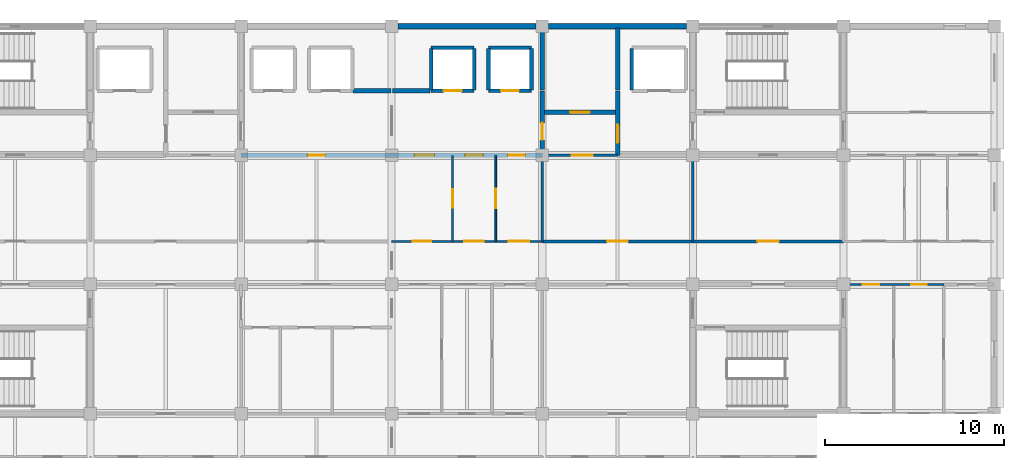
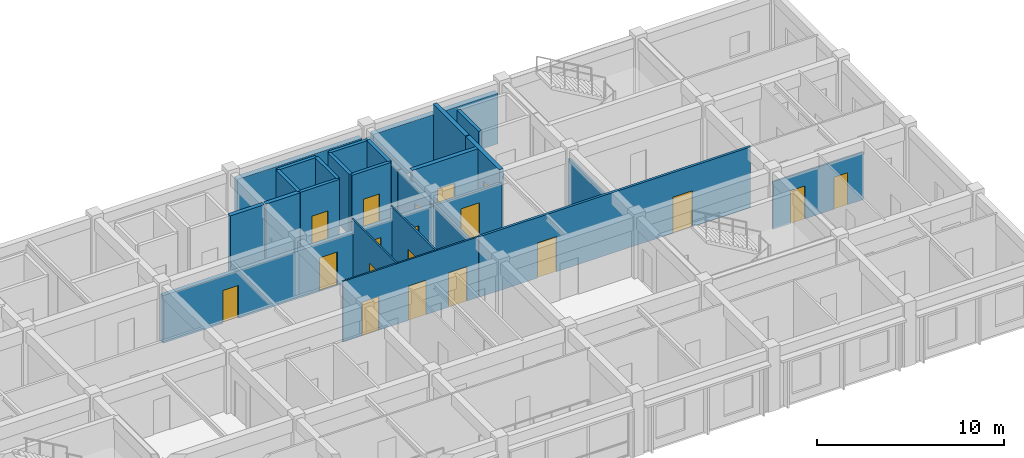
# One storey, part 13 of 17: 27 walls, 19 doors, 19 openings.
"""IFC4 building model written with IfcOpenShell, lengths in metres."""

from ifc_helpers import new_model, si_unit, direction, frame, frame_2d, origin, place, context, subcontext, project, spatial, rectangle, extrude, material, layer, layer_set, type_object, element, fill, save


model = new_model("IFC4")

# Units and contexts
model_context = context("Model", 3, precision=1e-05, world=origin(), true_north=direction((0.0, 1.0)))
body_context = subcontext(model_context, "Body", "Model", "MODEL_VIEW")
ifc_project = project(units=[si_unit("LENGTHUNIT", "METRE"), si_unit("AREAUNIT", "SQUARE_METRE"), si_unit("VOLUMEUNIT", "CUBIC_METRE"), si_unit("PLANEANGLEUNIT", "RADIAN"), si_unit("MASSUNIT", "GRAM", prefix="KILO")], contexts=[model_context])

# Site, building, storey
site_placement = place(None, origin())
site = spatial("IfcSite", under=ifc_project, at=site_placement, CompositionType="ELEMENT")
building_placement = place(site_placement, origin())
building = spatial("IfcBuilding", under=site, at=building_placement, Name="Chengyuan Square Courthouse", CompositionType="ELEMENT")
storey_placement = place(building_placement, frame((0.0, 0.0, 51.89990234375)))
storey = spatial("IfcBuildingStorey", under=building, at=storey_placement, Name="L12", CompositionType="ELEMENT", Elevation=51.89990234375)

# Walls
ifc_material_1 = material(Name="Concrete C40", Category="concrete")
ifc_layer_1 = layer(ifc_material_1, 0.320068359375)
ifc_layer_set_1 = layer_set([ifc_layer_1], Name="Concrete C40")
wall_type_1 = type_object("IfcWallType", Name="WL-EW3", PredefinedType="STANDARD", material=ifc_layer_set_1)
for number, where, z_axis, x_axis, name in (
    (1, (84.344970703125, 108.0, 0.0), (0.0, 0.0, 1.0), (1.0, 0.0, 0.0), "Exterior Wall WL-L12-E477"),
    (2, (92.7451171875, 108.0, 0.0), (0.0, 0.0, 1.0), (1.0, 0.0, 0.0), "Exterior Wall WL-L12-E479"),
):
    element("IfcWall", number, at=place(storey_placement, frame(where, z_axis=z_axis, x_axis=x_axis)), inside=storey, type_object=wall_type_1, Name=name, PredefinedType="STANDARD", context=body_context, shape_type="SweptSolid", body=[
        extrude(rectangle(XDim=7.7099609375, YDim=0.320068359375, at=frame_2d((3.85498046875, 0.0))), origin(), (0.0, 0.0, 1.0), 3.31005859375),
    ])

# Wall, openings, doors
ifc_layer_2 = layer(ifc_material_1, 0.25)
ifc_layer_set_2 = layer_set([ifc_layer_2], Name="Concrete C40")
wall_type_2 = type_object("IfcWallType", Name="WL-FW1", PredefinedType="STANDARD", material=ifc_layer_set_2)
wall_1_placement = place(storey_placement, frame((75.60009765625, 100.800048828125, 0.0), z_axis=(0.0, 0.0, 1.0), x_axis=(1.0, 0.0, 0.0)))
wall_1 = element("IfcWall", 3, at=wall_1_placement, inside=storey, type_object=wall_type_2, Name="Interior Wall WL-L12-I3670", PredefinedType="STANDARD", context=body_context, shape_type="SweptSolid", body=[
    extrude(rectangle(XDim=16.7998046875, YDim=0.25, at=frame_2d((8.39990234375, 0.0))), origin(), (0.0, 0.0, 1.0), 3.110107421875),
])
opening_1_placement = place(wall_1_placement, frame((3.72509765625, 0.0, 0.0)))
opening_1 = element("IfcOpeningElement", 4, at=opening_1_placement, cuts=wall_1, Name="Opening DR-3041", PredefinedType="OPENING", context=body_context, shape_type="SweptSolid", body=[
    extrude(rectangle(XDim=0.949951171875, YDim=2.14990234375, at=frame_2d((0.47509765625, 1.074951171875))), frame((0.0, 0.136962890625, 0.0), z_axis=(0.0, -1.0, 0.0), x_axis=(1.0, 0.0, 0.0)), (0.0, 0.0, 1.0), 0.27392578125),
])
opening_2_placement = place(wall_1_placement, frame((9.68505859375, 0.0, 0.0)))
opening_2 = element("IfcOpeningElement", 5, at=opening_2_placement, cuts=wall_1, Name="Opening DR-3042", PredefinedType="OPENING", context=body_context, shape_type="SweptSolid", body=[
    extrude(rectangle(XDim=1.10009765625, YDim=2.199951171875, at=frame_2d((0.550048828125, 1.10009765625))), frame((0.0, 0.136962890625, 0.0), z_axis=(0.0, -1.0, 0.0), x_axis=(1.0, 0.0, 0.0)), (0.0, 0.0, 1.0), 0.27392578125),
])
opening_3_placement = place(wall_1_placement, frame((12.5, 0.0, 0.0)))
opening_3 = element("IfcOpeningElement", 6, at=opening_3_placement, cuts=wall_1, Name="Opening DR-3043", PredefinedType="OPENING", context=body_context, shape_type="SweptSolid", body=[
    extrude(rectangle(XDim=1.0, YDim=2.199951171875, at=frame_2d((0.5, 1.10009765625))), frame((0.0, 0.136962890625, 0.0), z_axis=(0.0, -1.0, 0.0), x_axis=(1.0, 0.0, 0.0)), (0.0, 0.0, 1.0), 0.27392578125),
])
opening_4_placement = place(wall_1_placement, frame((14.889892578125, 0.0, 0.0)))
opening_4 = element("IfcOpeningElement", 7, at=opening_4_placement, cuts=wall_1, Name="Opening DR-3044", PredefinedType="OPENING", context=body_context, shape_type="SweptSolid", body=[
    extrude(rectangle(XDim=0.949951171875, YDim=2.14990234375, at=frame_2d((0.47509765625, 1.074951171875))), frame((0.0, 0.136962890625, 0.0), z_axis=(0.0, -1.0, 0.0), x_axis=(1.0, 0.0, 0.0)), (0.0, 0.0, 1.0), 0.27392578125),
])
ifc_material_2 = material(Name="Steel Q235B Fire Door", Category="steel")
door_type_1 = type_object("IfcDoorType", Name="DT-10", OperationType="NOTDEFINED", PredefinedType="DOOR", material=ifc_material_2)
door_1_placement = place(opening_2_placement, origin())
door_1 = element("IfcDoor", 8, at=door_1_placement, inside=storey, type_object=door_type_1, Name="Interior Door DR-3042", OperationType="SINGLE_SWING_RIGHT", OverallHeight=2.199951171875, OverallWidth=1.10009765625, PredefinedType="DOOR", context=body_context, shape_type="SweptSolid", body=[
    extrude(rectangle(XDim=1.10009765625, YDim=2.199951171875, at=frame_2d((0.550048828125, 1.10009765625))), frame((0.0, 0.02490234375, 0.0), z_axis=(0.0, -1.0, 0.0), x_axis=(1.0, 0.0, 0.0)), (0.0, 0.0, 1.0), 0.050048828125),
])
fill(opening_2, door_1)
door_type_2 = type_object("IfcDoorType", Name="DT-11", OperationType="NOTDEFINED", PredefinedType="DOOR", material=ifc_material_2)
door_2_placement = place(opening_3_placement, origin())
door_2 = element("IfcDoor", 9, at=door_2_placement, inside=storey, type_object=door_type_2, Name="Interior Door DR-3043", OperationType="SINGLE_SWING_LEFT", OverallHeight=2.199951171875, OverallWidth=1.0, PredefinedType="DOOR", context=body_context, shape_type="SweptSolid", body=[
    extrude(rectangle(XDim=1.0, YDim=2.199951171875, at=frame_2d((0.5, 1.10009765625))), frame((0.0, 0.02490234375, 0.0), z_axis=(0.0, -1.0, 0.0), x_axis=(1.0, 0.0, 0.0)), (0.0, 0.0, 1.0), 0.050048828125),
])
fill(opening_3, door_2)
door_type_3 = type_object("IfcDoorType", Name="DT-12", OperationType="NOTDEFINED", PredefinedType="DOOR", material=ifc_material_2)
door_3_placement = place(opening_1_placement, origin())
door_3 = element("IfcDoor", 10, at=door_3_placement, inside=storey, type_object=door_type_3, Name="Interior Door DR-3041", OperationType="SINGLE_SWING_LEFT", OverallHeight=2.14990234375, OverallWidth=0.949951171875, PredefinedType="DOOR", context=body_context, shape_type="SweptSolid", body=[
    extrude(rectangle(XDim=0.949951171875, YDim=2.14990234375, at=frame_2d((0.47509765625, 1.074951171875))), frame((0.0, 0.02490234375, 0.0), z_axis=(0.0, -1.0, 0.0), x_axis=(1.0, 0.0, 0.0)), (0.0, 0.0, 1.0), 0.050048828125),
])
fill(opening_1, door_3)
door_4_placement = place(opening_4_placement, origin())
door_4 = element("IfcDoor", 11, at=door_4_placement, inside=storey, type_object=door_type_3, Name="Interior Door DR-3044", OperationType="SINGLE_SWING_RIGHT", OverallHeight=2.14990234375, OverallWidth=0.949951171875, PredefinedType="DOOR", context=body_context, shape_type="SweptSolid", body=[
    extrude(rectangle(XDim=0.949951171875, YDim=2.14990234375, at=frame_2d((0.47509765625, 1.074951171875))), frame((0.0, 0.02490234375, 0.0), z_axis=(0.0, -1.0, 0.0), x_axis=(1.0, 0.0, 0.0)), (0.0, 0.0, 1.0), 0.050048828125),
])
fill(opening_4, door_4)

# Wall, opening, door
wall_2_placement = place(storey_placement, frame((92.39990234375, 103.199951171875, 0.0), z_axis=(0.0, 0.0, 1.0), x_axis=(1.0, 0.0, 0.0)))
wall_2 = element("IfcWall", 12, at=wall_2_placement, inside=storey, type_object=wall_type_2, Name="Interior Wall WL-L12-I3677", PredefinedType="STANDARD", context=body_context, shape_type="SweptSolid", body=[
    extrude(rectangle(XDim=4.2001953125, YDim=0.25, at=frame_2d((2.10009765625, 0.0))), origin(), (0.0, 0.0, 1.0), 3.960205078125),
])
opening_5_placement = place(wall_2_placement, frame((1.550048828125, 0.0, 0.0)))
opening_5 = element("IfcOpeningElement", 13, at=opening_5_placement, cuts=wall_2, Name="Opening DR-3036", PredefinedType="OPENING", context=body_context, shape_type="SweptSolid", body=[
    extrude(rectangle(XDim=1.10009765625, YDim=2.199951171875, at=frame_2d((0.550048828125, 1.10009765625))), frame((0.0, 0.136962890625, 0.0), z_axis=(0.0, -1.0, 0.0), x_axis=(1.0, 0.0, 0.0)), (0.0, 0.0, 1.0), 0.27392578125),
])
door_5_placement = place(opening_5_placement, origin())
door_5 = element("IfcDoor", 14, at=door_5_placement, inside=storey, type_object=door_type_1, Name="Interior Door DR-3036", OperationType="SINGLE_SWING_LEFT", OverallHeight=2.199951171875, OverallWidth=1.10009765625, PredefinedType="DOOR", context=body_context, shape_type="SweptSolid", body=[
    extrude(rectangle(XDim=1.10009765625, YDim=2.199951171875, at=frame_2d((0.550048828125, 1.10009765625))), frame((0.0, 0.02490234375, 0.0), z_axis=(0.0, -1.0, 0.0), x_axis=(1.0, 0.0, 0.0)), (0.0, 0.0, 1.0), 0.050048828125),
])
fill(opening_5, door_5)

# Walls
for number, where, z_axis, x_axis, name in (
    (15, (81.85009765625, 104.39990234375, 0.0), (0.0, 0.0, 1.0), (1.0, 0.0, 0.0), "Interior Wall WL-L12-I3683"),
    (16, (84.050048828125, 104.39990234375, 0.0), (0.0, 0.0, 1.0), (1.0, 0.0, 0.0), "Interior Wall WL-L12-I3684"),
):
    element("IfcWall", number, at=place(storey_placement, frame(where, z_axis=z_axis, x_axis=x_axis)), inside=storey, type_object=wall_type_2, Name=name, PredefinedType="STANDARD", context=body_context, shape_type="SweptSolid", body=[
        extrude(rectangle(XDim=2.099853515625, YDim=0.25, at=frame_2d((1.0498046875, 0.0))), origin(), (0.0, 0.0, 1.0), 3.960205078125),
    ])

# Wall, opening, door
wall_3_placement = place(storey_placement, frame((92.39990234375, 100.800048828125, 0.0), z_axis=(0.0, 0.0, 1.0), x_axis=(0.0, 1.0, 0.0)))
wall_3 = element("IfcWall", 17, at=wall_3_placement, inside=storey, type_object=wall_type_2, Name="Interior Wall WL-L12-I3742", PredefinedType="STANDARD", context=body_context, shape_type="SweptSolid", body=[
    extrude(rectangle(XDim=3.599853515625, YDim=0.25, at=frame_2d((1.7998046875, 0.0))), origin(), (0.0, 0.0, 1.0), 3.210205078125),
])
opening_6_placement = place(wall_3_placement, frame((0.860107421875, 0.0, 0.0)))
opening_6 = element("IfcOpeningElement", 18, at=opening_6_placement, cuts=wall_3, Name="Opening DR-3038", PredefinedType="OPENING", context=body_context, shape_type="SweptSolid", body=[
    extrude(rectangle(XDim=0.949951171875, YDim=2.14990234375, at=frame_2d((0.47509765625, 1.074951171875))), frame((0.0, 0.136962890625, 0.0), z_axis=(0.0, -1.0, 0.0), x_axis=(1.0, 0.0, 0.0)), (0.0, 0.0, 1.0), 0.27392578125),
])
door_6_placement = place(opening_6_placement, origin())
door_6 = element("IfcDoor", 19, at=door_6_placement, inside=storey, type_object=door_type_3, Name="Interior Door DR-3038", OperationType="SINGLE_SWING_LEFT", OverallHeight=2.14990234375, OverallWidth=0.949951171875, PredefinedType="DOOR", context=body_context, shape_type="SweptSolid", body=[
    extrude(rectangle(XDim=0.949951171875, YDim=2.14990234375, at=frame_2d((0.47509765625, 1.074951171875))), frame((0.0, 0.02490234375, 0.0), z_axis=(0.0, -1.0, 0.0), x_axis=(1.0, 0.0, 0.0)), (0.0, 0.0, 1.0), 0.050048828125),
])
fill(opening_6, door_6)

# Wall
wall_4_placement = place(storey_placement, frame((92.39990234375, 104.449951171875, 0.0), z_axis=(0.0, 0.0, 1.0), x_axis=(0.0, 1.0, 0.0)))
element("IfcWall", 20, at=wall_4_placement, inside=storey, type_object=wall_type_2, Name="Interior Wall WL-L12-I3743", PredefinedType="STANDARD", context=body_context, shape_type="SweptSolid", body=[
    extrude(rectangle(XDim=3.4599609375, YDim=0.25, at=frame_2d((1.72998046875, 0.0))), origin(), (0.0, 0.0, 1.0), 3.210205078125),
])

# Wall, opening, door
wall_5_placement = place(storey_placement, frame((96.60009765625, 100.800048828125, 0.0), z_axis=(0.0, 0.0, 1.0), x_axis=(0.0, 1.0, 0.0)))
wall_5 = element("IfcWall", 21, at=wall_5_placement, inside=storey, type_object=wall_type_2, Name="Interior Wall WL-L12-I3745", PredefinedType="STANDARD", context=body_context, shape_type="SweptSolid", body=[
    extrude(rectangle(XDim=3.599853515625, YDim=0.25, at=frame_2d((1.7998046875, 0.0))), origin(), (0.0, 0.0, 1.0), 3.960205078125),
])
opening_7_placement = place(wall_5_placement, frame((0.699951171875, 0.0, 0.0)))
opening_7 = element("IfcOpeningElement", 22, at=opening_7_placement, cuts=wall_5, Name="Opening DR-3037", PredefinedType="OPENING", context=body_context, shape_type="SweptSolid", body=[
    extrude(rectangle(XDim=1.0, YDim=2.199951171875, at=frame_2d((0.5, 1.10009765625))), frame((0.0, 0.136962890625, 0.0), z_axis=(0.0, -1.0, 0.0), x_axis=(1.0, 0.0, 0.0)), (0.0, 0.0, 1.0), 0.27392578125),
])
door_7_placement = place(opening_7_placement, origin())
door_7 = element("IfcDoor", 23, at=door_7_placement, inside=storey, type_object=door_type_2, Name="Interior Door DR-3037", OperationType="SINGLE_SWING_RIGHT", OverallHeight=2.199951171875, OverallWidth=1.0, PredefinedType="DOOR", context=body_context, shape_type="SweptSolid", body=[
    extrude(rectangle(XDim=1.0, YDim=2.199951171875, at=frame_2d((0.5, 1.10009765625))), frame((0.0, 0.02490234375, 0.0), z_axis=(0.0, -1.0, 0.0), x_axis=(1.0, 0.0, 0.0)), (0.0, 0.0, 1.0), 0.050048828125),
])
fill(opening_7, door_7)

# Wall
wall_6_placement = place(storey_placement, frame((96.60009765625, 104.449951171875, 0.0), z_axis=(0.0, 0.0, 1.0), x_axis=(0.0, 1.0, 0.0)))
element("IfcWall", 24, at=wall_6_placement, inside=storey, type_object=wall_type_2, Name="Interior Wall WL-L12-I3746", PredefinedType="STANDARD", context=body_context, shape_type="SweptSolid", body=[
    extrude(rectangle(XDim=3.4599609375, YDim=0.25, at=frame_2d((1.72998046875, 0.0))), origin(), (0.0, 0.0, 1.0), 3.960205078125),
])

# Wall, openings, doors
ifc_material_3 = material(Name="Deliberation Room Sound-Insulated Partition")
ifc_layer_3 = layer(ifc_material_3, 0.14990234375)
ifc_layer_set_3 = layer_set([ifc_layer_3], Name="Deliberation Room Sound-Insulated Partition")
wall_type_3 = type_object("IfcWallType", Name="WL-PT3", PredefinedType="STANDARD", material=ifc_layer_set_3)
wall_7_placement = place(storey_placement, frame((92.39990234375, 96.0, 0.0), z_axis=(0.0, 0.0, 1.0), x_axis=(1.0, 0.0, 0.0)))
wall_7 = element("IfcWall", 25, at=wall_7_placement, inside=storey, type_object=wall_type_3, Name="Interior Wall WL-L12-I3665", PredefinedType="STANDARD", context=body_context, shape_type="SweptSolid", body=[
    extrude(rectangle(XDim=16.800048828125, YDim=0.14990234375, at=frame_2d((8.39990234375, 0.0))), origin(), (0.0, 0.0, 1.0), 3.960205078125),
])
opening_8_placement = place(wall_7_placement, frame((3.6201171875, 0.0, 0.0)))
opening_8 = element("IfcOpeningElement", 26, at=opening_8_placement, cuts=wall_7, Name="Opening DR-3073", PredefinedType="OPENING", context=body_context, shape_type="SweptSolid", body=[
    extrude(rectangle(XDim=1.159912109375, YDim=2.300048828125, at=frame_2d((0.580078125, 1.14990234375))), frame((0.0, 0.0869140625, 0.0), z_axis=(0.0, -1.0, 0.0), x_axis=(1.0, 0.0, 0.0)), (0.0, 0.0, 1.0), 0.173828125),
])
opening_9_placement = place(wall_7_placement, frame((12.0, 0.0, 0.0)))
opening_9 = element("IfcOpeningElement", 27, at=opening_9_placement, cuts=wall_7, Name="Opening DR-3074", PredefinedType="OPENING", context=body_context, shape_type="SweptSolid", body=[
    extrude(rectangle(XDim=1.199951171875, YDim=2.35009765625, at=frame_2d((0.60009765625, 1.175048828125))), frame((0.0, 0.0869140625, 0.0), z_axis=(0.0, -1.0, 0.0), x_axis=(1.0, 0.0, 0.0)), (0.0, 0.0, 1.0), 0.173828125),
])
ifc_material_4 = material(Name="Acoustic Solid-Core Timber Door", Category="wood")
door_type_4 = type_object("IfcDoorType", Name="DT-35", OperationType="NOTDEFINED", PredefinedType="DOOR", material=ifc_material_4)
door_8_placement = place(opening_8_placement, origin())
door_8 = element("IfcDoor", 28, at=door_8_placement, inside=storey, type_object=door_type_4, Name="Interior Door DR-3073", OperationType="SINGLE_SWING_RIGHT", OverallHeight=2.300048828125, OverallWidth=1.159912109375, PredefinedType="DOOR", context=body_context, shape_type="SweptSolid", body=[
    extrude(rectangle(XDim=1.159912109375, YDim=2.300048828125, at=frame_2d((0.580078125, 1.14990234375))), frame((0.0, 0.02490234375, 0.0), z_axis=(0.0, -1.0, 0.0), x_axis=(1.0, 0.0, 0.0)), (0.0, 0.0, 1.0), 0.050048828125),
])
fill(opening_8, door_8)
door_type_5 = type_object("IfcDoorType", Name="DT-36", OperationType="NOTDEFINED", PredefinedType="DOOR", material=ifc_material_4)
door_9_placement = place(opening_9_placement, origin())
door_9 = element("IfcDoor", 29, at=door_9_placement, inside=storey, type_object=door_type_5, Name="Interior Door DR-3074", OperationType="SINGLE_SWING_LEFT", OverallHeight=2.35009765625, OverallWidth=1.199951171875, PredefinedType="DOOR", context=body_context, shape_type="SweptSolid", body=[
    extrude(rectangle(XDim=1.199951171875, YDim=2.35009765625, at=frame_2d((0.60009765625, 1.175048828125))), frame((0.0, 0.02490234375, 0.0), z_axis=(0.0, -1.0, 0.0), x_axis=(1.0, 0.0, 0.0)), (0.0, 0.0, 1.0), 0.050048828125),
])
fill(opening_9, door_9)

# Wall, opening, door
wall_8_placement = place(storey_placement, frame((92.39990234375, 100.800048828125, 0.0), z_axis=(0.0, 0.0, 1.0), x_axis=(1.0, 0.0, 0.0)))
wall_8 = element("IfcWall", 30, at=wall_8_placement, inside=storey, type_object=wall_type_3, Name="Interior Wall WL-L12-I3671", PredefinedType="STANDARD", context=body_context, shape_type="SweptSolid", body=[
    extrude(rectangle(XDim=4.2001953125, YDim=0.14990234375, at=frame_2d((2.10009765625, 0.0))), origin(), (0.0, 0.0, 1.0), 3.110107421875),
])
opening_10_placement = place(wall_8_placement, frame((1.655029296875, 0.0, 0.0)))
opening_10 = element("IfcOpeningElement", 31, at=opening_10_placement, cuts=wall_8, Name="Opening DR-3039", PredefinedType="OPENING", context=body_context, shape_type="SweptSolid", body=[
    extrude(rectangle(XDim=1.159912109375, YDim=2.300048828125, at=frame_2d((0.580078125, 1.14990234375))), frame((0.0, 0.0869140625, 0.0), z_axis=(0.0, -1.0, 0.0), x_axis=(1.0, 0.0, 0.0)), (0.0, 0.0, 1.0), 0.173828125),
])
door_10_placement = place(opening_10_placement, origin())
door_10 = element("IfcDoor", 32, at=door_10_placement, inside=storey, type_object=door_type_4, Name="Interior Door DR-3039", OperationType="SINGLE_SWING_RIGHT", OverallHeight=2.300048828125, OverallWidth=1.159912109375, PredefinedType="DOOR", context=body_context, shape_type="SweptSolid", body=[
    extrude(rectangle(XDim=1.159912109375, YDim=2.300048828125, at=frame_2d((0.580078125, 1.14990234375))), frame((0.0, 0.02490234375, 0.0), z_axis=(0.0, -1.0, 0.0), x_axis=(1.0, 0.0, 0.0)), (0.0, 0.0, 1.0), 0.050048828125),
])
fill(opening_10, door_10)

# Walls
for number, where, z_axis, x_axis, name in (
    (33, (92.39990234375, 96.0, 0.0), (0.0, 0.0, 1.0), (0.0, 1.0, 0.0), "Interior Wall WL-L12-I3741"),
    (34, (100.800048828125, 96.0, 0.0), (0.0, 0.0, 1.0), (0.0, 1.0, 0.0), "Interior Wall WL-L12-I3752"),
):
    element("IfcWall", number, at=place(storey_placement, frame(where, z_axis=z_axis, x_axis=x_axis)), inside=storey, type_object=wall_type_3, Name=name, PredefinedType="STANDARD", context=body_context, shape_type="SweptSolid", body=[
        extrude(rectangle(XDim=4.800048828125, YDim=0.14990234375, at=frame_2d((2.39990234375, 0.0))), origin(), (0.0, 0.0, 1.0), 3.210205078125),
    ])

# Wall, openings, doors
ifc_material_5 = material(Name="Gypsum Plasterboard Acoustic Stud Partition")
ifc_layer_4 = layer(ifc_material_5, 0.10009765625)
ifc_layer_set_4 = layer_set([ifc_layer_4], Name="Gypsum Plasterboard Acoustic Stud Partition")
wall_type_4 = type_object("IfcWallType", Name="WL-PT6", PredefinedType="STANDARD", material=ifc_layer_set_4)
wall_9_placement = place(storey_placement, frame((109.199951171875, 93.60009765625, 0.0), z_axis=(0.0, 0.0, 1.0), x_axis=(1.0, 0.0, 0.0)))
wall_9 = element("IfcWall", 35, at=wall_9_placement, inside=storey, type_object=wall_type_4, Name="Interior Wall WL-L12-I3660", PredefinedType="STANDARD", context=body_context, shape_type="SweptSolid", body=[
    extrude(rectangle(XDim=5.60009765625, YDim=0.10009765625, at=frame_2d((2.800048828125, 0.0))), origin(), (0.0, 0.0, 1.0), 3.110107421875),
])
opening_11_placement = place(wall_9_placement, frame((1.0849609375, 0.0, 0.0)))
opening_11 = element("IfcOpeningElement", 36, at=opening_11_placement, cuts=wall_9, Name="Opening DR-3082", PredefinedType="OPENING", context=body_context, shape_type="SweptSolid", body=[
    extrude(rectangle(XDim=0.89990234375, YDim=2.14990234375, at=frame_2d((0.449951171875, 1.074951171875))), frame((0.0, 0.06201171875, 0.0), z_axis=(0.0, -1.0, 0.0), x_axis=(1.0, 0.0, 0.0)), (0.0, 0.0, 1.0), 0.1240234375),
])
opening_12_placement = place(wall_9_placement, frame((3.77001953125, 0.0, 0.0)))
opening_12 = element("IfcOpeningElement", 37, at=opening_12_placement, cuts=wall_9, Name="Opening DR-3083", PredefinedType="OPENING", context=body_context, shape_type="SweptSolid", body=[
    extrude(rectangle(XDim=0.860107421875, YDim=2.10009765625, at=frame_2d((0.43017578125, 1.050048828125))), frame((0.0, 0.06201171875, 0.0), z_axis=(0.0, -1.0, 0.0), x_axis=(1.0, 0.0, 0.0)), (0.0, 0.0, 1.0), 0.1240234375),
])
door_type_6 = type_object("IfcDoorType", Name="DT-27", OperationType="NOTDEFINED", PredefinedType="DOOR", material=ifc_material_4)
door_11_placement = place(opening_11_placement, origin())
door_11 = element("IfcDoor", 38, at=door_11_placement, inside=storey, type_object=door_type_6, Name="Interior Door DR-3082", OperationType="SINGLE_SWING_LEFT", OverallHeight=2.14990234375, OverallWidth=0.89990234375, PredefinedType="DOOR", context=body_context, shape_type="SweptSolid", body=[
    extrude(rectangle(XDim=0.89990234375, YDim=2.14990234375, at=frame_2d((0.449951171875, 1.074951171875))), frame((0.0, 0.02490234375, 0.0), z_axis=(0.0, -1.0, 0.0), x_axis=(1.0, 0.0, 0.0)), (0.0, 0.0, 1.0), 0.050048828125),
])
fill(opening_11, door_11)
door_type_7 = type_object("IfcDoorType", Name="DT-28", OperationType="NOTDEFINED", PredefinedType="DOOR", material=ifc_material_4)
door_12_placement = place(opening_12_placement, origin())
door_12 = element("IfcDoor", 39, at=door_12_placement, inside=storey, type_object=door_type_7, Name="Interior Door DR-3083", OperationType="SINGLE_SWING_RIGHT", OverallHeight=2.10009765625, OverallWidth=0.860107421875, PredefinedType="DOOR", context=body_context, shape_type="SweptSolid", body=[
    extrude(rectangle(XDim=0.860107421875, YDim=2.10009765625, at=frame_2d((0.43017578125, 1.050048828125))), frame((0.0, 0.02490234375, 0.0), z_axis=(0.0, -1.0, 0.0), x_axis=(1.0, 0.0, 0.0)), (0.0, 0.0, 1.0), 0.050048828125),
])
fill(opening_12, door_12)

wall_10_placement = place(storey_placement, frame((84.0, 96.0, 0.0), z_axis=(0.0, 0.0, 1.0), x_axis=(1.0, 0.0, 0.0)))
wall_10 = element("IfcWall", 40, at=wall_10_placement, inside=storey, type_object=wall_type_4, Name="Interior Wall WL-L12-I3664", PredefinedType="STANDARD", context=body_context, shape_type="SweptSolid", body=[
    extrude(rectangle(XDim=8.39990234375, YDim=0.10009765625, at=frame_2d((4.199951171875, 0.0))), origin(), (0.0, 0.0, 1.0), 3.960205078125),
])
opening_13_placement = place(wall_10_placement, frame((1.179931640625, 0.0, 0.0)))
opening_13 = element("IfcOpeningElement", 41, at=opening_13_placement, cuts=wall_10, Name="Opening DR-3070", PredefinedType="OPENING", context=body_context, shape_type="SweptSolid", body=[
    extrude(rectangle(XDim=1.0400390625, YDim=2.199951171875, at=frame_2d((0.52001953125, 1.10009765625))), frame((0.0, 0.06201171875, 0.0), z_axis=(0.0, -1.0, 0.0), x_axis=(1.0, 0.0, 0.0)), (0.0, 0.0, 1.0), 0.1240234375),
])
opening_14_placement = place(wall_10_placement, frame((4.06005859375, 0.0, 0.0)))
opening_14 = element("IfcOpeningElement", 42, at=opening_14_placement, cuts=wall_10, Name="Opening DR-3071", PredefinedType="OPENING", context=body_context, shape_type="SweptSolid", body=[
    extrude(rectangle(XDim=1.080078125, YDim=2.25, at=frame_2d((0.5400390625, 1.125))), frame((0.0, 0.06201171875, 0.0), z_axis=(0.0, -1.0, 0.0), x_axis=(1.0, 0.0, 0.0)), (0.0, 0.0, 1.0), 0.1240234375),
])
opening_15_placement = place(wall_10_placement, frame((6.5400390625, 0.0, 0.0)))
opening_15 = element("IfcOpeningElement", 43, at=opening_15_placement, cuts=wall_10, Name="Opening DR-3072", PredefinedType="OPENING", context=body_context, shape_type="SweptSolid", body=[
    extrude(rectangle(XDim=1.1201171875, YDim=2.25, at=frame_2d((0.56005859375, 1.125))), frame((0.0, 0.06201171875, 0.0), z_axis=(0.0, -1.0, 0.0), x_axis=(1.0, 0.0, 0.0)), (0.0, 0.0, 1.0), 0.1240234375),
])
door_type_8 = type_object("IfcDoorType", Name="DT-32", OperationType="NOTDEFINED", PredefinedType="DOOR", material=ifc_material_4)
door_13_placement = place(opening_13_placement, origin())
door_13 = element("IfcDoor", 44, at=door_13_placement, inside=storey, type_object=door_type_8, Name="Interior Door DR-3070", OperationType="SINGLE_SWING_LEFT", OverallHeight=2.199951171875, OverallWidth=1.0400390625, PredefinedType="DOOR", context=body_context, shape_type="SweptSolid", body=[
    extrude(rectangle(XDim=1.0400390625, YDim=2.199951171875, at=frame_2d((0.52001953125, 1.10009765625))), frame((0.0, 0.02490234375, 0.0), z_axis=(0.0, -1.0, 0.0), x_axis=(1.0, 0.0, 0.0)), (0.0, 0.0, 1.0), 0.050048828125),
])
fill(opening_13, door_13)
door_type_9 = type_object("IfcDoorType", Name="DT-33", OperationType="NOTDEFINED", PredefinedType="DOOR", material=ifc_material_4)
door_14_placement = place(opening_14_placement, origin())
door_14 = element("IfcDoor", 45, at=door_14_placement, inside=storey, type_object=door_type_9, Name="Interior Door DR-3071", OperationType="SINGLE_SWING_RIGHT", OverallHeight=2.25, OverallWidth=1.080078125, PredefinedType="DOOR", context=body_context, shape_type="SweptSolid", body=[
    extrude(rectangle(XDim=1.080078125, YDim=2.25, at=frame_2d((0.5400390625, 1.125))), frame((0.0, 0.02490234375, 0.0), z_axis=(0.0, -1.0, 0.0), x_axis=(1.0, 0.0, 0.0)), (0.0, 0.0, 1.0), 0.050048828125),
])
fill(opening_14, door_14)
door_type_10 = type_object("IfcDoorType", Name="DT-34", OperationType="NOTDEFINED", PredefinedType="DOOR", material=ifc_material_4)
door_15_placement = place(opening_15_placement, origin())
door_15 = element("IfcDoor", 46, at=door_15_placement, inside=storey, type_object=door_type_10, Name="Interior Door DR-3072", OperationType="SINGLE_SWING_LEFT", OverallHeight=2.25, OverallWidth=1.1201171875, PredefinedType="DOOR", context=body_context, shape_type="SweptSolid", body=[
    extrude(rectangle(XDim=1.1201171875, YDim=2.25, at=frame_2d((0.56005859375, 1.125))), frame((0.0, 0.02490234375, 0.0), z_axis=(0.0, -1.0, 0.0), x_axis=(1.0, 0.0, 0.0)), (0.0, 0.0, 1.0), 0.050048828125),
])
fill(opening_15, door_15)

# Wall, opening, door
wall_11_placement = place(storey_placement, frame((87.39990234375, 96.0, 0.0), z_axis=(0.0, 0.0, 1.0), x_axis=(0.0, 1.0, 0.0)))
wall_11 = element("IfcWall", 47, at=wall_11_placement, inside=storey, type_object=wall_type_4, Name="Interior Wall WL-L12-I3733", PredefinedType="STANDARD", context=body_context, shape_type="SweptSolid", body=[
    extrude(rectangle(XDim=4.800048828125, YDim=0.10009765625, at=frame_2d((2.39990234375, 0.0))), origin(), (0.0, 0.0, 1.0), 3.960205078125),
])
opening_16_placement = place(wall_11_placement, frame((1.8798828125, 0.0, 0.0)))
opening_16 = element("IfcOpeningElement", 48, at=opening_16_placement, cuts=wall_11, Name="Opening DR-3087", PredefinedType="OPENING", context=body_context, shape_type="SweptSolid", body=[
    extrude(rectangle(XDim=1.0400390625, YDim=2.199951171875, at=frame_2d((0.52001953125, 1.10009765625))), frame((0.0, 0.06201171875, 0.0), z_axis=(0.0, -1.0, 0.0), x_axis=(1.0, 0.0, 0.0)), (0.0, 0.0, 1.0), 0.1240234375),
])
door_16_placement = place(opening_16_placement, origin())
door_16 = element("IfcDoor", 49, at=door_16_placement, inside=storey, type_object=door_type_8, Name="Interior Door DR-3087", OperationType="SINGLE_SWING_RIGHT", OverallHeight=2.199951171875, OverallWidth=1.0400390625, PredefinedType="DOOR", context=body_context, shape_type="SweptSolid", body=[
    extrude(rectangle(XDim=1.0400390625, YDim=2.199951171875, at=frame_2d((0.52001953125, 1.10009765625))), frame((0.0, 0.02490234375, 0.0), z_axis=(0.0, -1.0, 0.0), x_axis=(1.0, 0.0, 0.0)), (0.0, 0.0, 1.0), 0.050048828125),
])
fill(opening_16, door_16)

wall_12_placement = place(storey_placement, frame((89.800048828125, 96.0, 0.0), z_axis=(0.0, 0.0, 1.0), x_axis=(0.0, 1.0, 0.0)))
wall_12 = element("IfcWall", 50, at=wall_12_placement, inside=storey, type_object=wall_type_4, Name="Interior Wall WL-L12-I3737", PredefinedType="STANDARD", context=body_context, shape_type="SweptSolid", body=[
    extrude(rectangle(XDim=4.800048828125, YDim=0.10009765625, at=frame_2d((2.39990234375, 0.0))), origin(), (0.0, 0.0, 1.0), 3.960205078125),
])
opening_17_placement = place(wall_12_placement, frame((1.860107421875, 0.0, 0.0)))
opening_17 = element("IfcOpeningElement", 51, at=opening_17_placement, cuts=wall_12, Name="Opening DR-3088", PredefinedType="OPENING", context=body_context, shape_type="SweptSolid", body=[
    extrude(rectangle(XDim=1.080078125, YDim=2.25, at=frame_2d((0.5400390625, 1.125))), frame((0.0, 0.06201171875, 0.0), z_axis=(0.0, -1.0, 0.0), x_axis=(1.0, 0.0, 0.0)), (0.0, 0.0, 1.0), 0.1240234375),
])
door_17_placement = place(opening_17_placement, origin())
door_17 = element("IfcDoor", 52, at=door_17_placement, inside=storey, type_object=door_type_9, Name="Interior Door DR-3088", OperationType="SINGLE_SWING_LEFT", OverallHeight=2.25, OverallWidth=1.080078125, PredefinedType="DOOR", context=body_context, shape_type="SweptSolid", body=[
    extrude(rectangle(XDim=1.080078125, YDim=2.25, at=frame_2d((0.5400390625, 1.125))), frame((0.0, 0.02490234375, 0.0), z_axis=(0.0, -1.0, 0.0), x_axis=(1.0, 0.0, 0.0)), (0.0, 0.0, 1.0), 0.050048828125),
])
fill(opening_17, door_17)

ifc_material_6 = material(Name="Reinforced Masonry Shaft Enclosure", Category="masonry")
ifc_layer_5 = layer(ifc_material_6, 0.199951171875)
ifc_layer_set_5 = layer_set([ifc_layer_5], Name="Reinforced Masonry Shaft Enclosure")
wall_type_5 = type_object("IfcWallType", Name="WL-SH1", PredefinedType="STANDARD", material=ifc_layer_set_5)
wall_13_placement = place(storey_placement, frame((86.199951171875, 104.39990234375, 0.0), z_axis=(0.0, 0.0, 1.0), x_axis=(1.0, 0.0, 0.0)))
wall_13 = element("IfcWall", 53, at=wall_13_placement, inside=storey, type_object=wall_type_5, Name="Interior Wall WL-L12-I3685", PredefinedType="STANDARD", context=body_context, shape_type="SweptSolid", body=[
    extrude(rectangle(XDim=2.400146484375, YDim=0.199951171875, at=frame_2d((1.2001953125, 0.0))), origin(), (0.0, 0.0, 1.0), 3.960205078125),
])
opening_18_placement = place(wall_13_placement, frame((0.699951171875, 0.0, 0.0)))
opening_18 = element("IfcOpeningElement", 54, at=opening_18_placement, cuts=wall_13, Name="Opening LD-191", PredefinedType="OPENING", context=body_context, shape_type="SweptSolid", body=[
    extrude(rectangle(XDim=1.0, YDim=2.14990234375, at=frame_2d((0.5, 1.074951171875))), frame((0.0, 0.112060546875, 0.0), z_axis=(0.0, -1.0, 0.0), x_axis=(1.0, 0.0, 0.0)), (0.0, 0.0, 1.0), 0.223876953125),
])
ifc_material_7 = material(Name="Stainless Steel S30408 Lift Landing Door", Category="steel")
door_type_11 = type_object("IfcDoorType", Name="DT-07", OperationType="DOUBLE_DOOR_SLIDING", PredefinedType="DOOR", material=ifc_material_7)
door_18_placement = place(opening_18_placement, origin())
door_18 = element("IfcDoor", 55, at=door_18_placement, inside=storey, type_object=door_type_11, Name="Lift Landing Door LF-J3 L12", OperationType="DOUBLE_DOOR_SLIDING", OverallHeight=2.14990234375, OverallWidth=1.0, PredefinedType="DOOR", context=body_context, shape_type="SweptSolid", body=[
    extrude(rectangle(XDim=1.0, YDim=2.14990234375, at=frame_2d((0.5, 1.074951171875))), frame((0.0, 0.02490234375, 0.0), z_axis=(0.0, -1.0, 0.0), x_axis=(1.0, 0.0, 0.0)), (0.0, 0.0, 1.0), 0.050048828125),
])
fill(opening_18, door_18)

wall_14_placement = place(storey_placement, frame((89.39990234375, 104.39990234375, 0.0), z_axis=(0.0, 0.0, 1.0), x_axis=(1.0, 0.0, 0.0)))
wall_14 = element("IfcWall", 56, at=wall_14_placement, inside=storey, type_object=wall_type_5, Name="Interior Wall WL-L12-I3686", PredefinedType="STANDARD", context=body_context, shape_type="SweptSolid", body=[
    extrude(rectangle(XDim=2.400146484375, YDim=0.199951171875, at=frame_2d((1.2001953125, 0.0))), origin(), (0.0, 0.0, 1.0), 3.960205078125),
])
opening_19_placement = place(wall_14_placement, frame((0.699951171875, 0.0, 0.0)))
opening_19 = element("IfcOpeningElement", 57, at=opening_19_placement, cuts=wall_14, Name="Opening LD-192", PredefinedType="OPENING", context=body_context, shape_type="SweptSolid", body=[
    extrude(rectangle(XDim=1.0, YDim=2.14990234375, at=frame_2d((0.5, 1.074951171875))), frame((0.0, 0.112060546875, 0.0), z_axis=(0.0, -1.0, 0.0), x_axis=(1.0, 0.0, 0.0)), (0.0, 0.0, 1.0), 0.223876953125),
])
door_19_placement = place(opening_19_placement, origin())
door_19 = element("IfcDoor", 58, at=door_19_placement, inside=storey, type_object=door_type_11, Name="Lift Landing Door LF-J4 L12", OperationType="DOUBLE_DOOR_SLIDING", OverallHeight=2.14990234375, OverallWidth=1.0, PredefinedType="DOOR", context=body_context, shape_type="SweptSolid", body=[
    extrude(rectangle(XDim=1.0, YDim=2.14990234375, at=frame_2d((0.5, 1.074951171875))), frame((0.0, 0.02490234375, 0.0), z_axis=(0.0, -1.0, 0.0), x_axis=(1.0, 0.0, 0.0)), (0.0, 0.0, 1.0), 0.050048828125),
])
fill(opening_19, door_19)

# Walls
for number, where, z_axis, x_axis, name in (
    (59, (86.199951171875, 106.800048828125, 0.0), (0.0, 0.0, 1.0), (1.0, 0.0, 0.0), "Interior Wall WL-L12-I3691"),
    (60, (89.39990234375, 106.800048828125, 0.0), (0.0, 0.0, 1.0), (1.0, 0.0, 0.0), "Interior Wall WL-L12-I3692"),
):
    element("IfcWall", number, at=place(storey_placement, frame(where, z_axis=z_axis, x_axis=x_axis)), inside=storey, type_object=wall_type_5, Name=name, PredefinedType="STANDARD", context=body_context, shape_type="SweptSolid", body=[
        extrude(rectangle(XDim=2.400146484375, YDim=0.199951171875, at=frame_2d((1.2001953125, 0.0))), origin(), (0.0, 0.0, 1.0), 3.960205078125),
    ])
for number, where, z_axis, x_axis, name in (
    (61, (86.199951171875, 104.449951171875, 0.0), (0.0, 0.0, 1.0), (0.0, 1.0, 0.0), "Interior Wall WL-L12-I3731"),
    (62, (88.60009765625, 104.449951171875, 0.0), (0.0, 0.0, 1.0), (0.0, 1.0, 0.0), "Interior Wall WL-L12-I3734"),
    (63, (89.39990234375, 104.449951171875, 0.0), (0.0, 0.0, 1.0), (0.0, 1.0, 0.0), "Interior Wall WL-L12-I3735"),
    (64, (91.800048828125, 104.449951171875, 0.0), (0.0, 0.0, 1.0), (0.0, 1.0, 0.0), "Interior Wall WL-L12-I3738"),
    (65, (97.39990234375, 104.449951171875, 0.0), (0.0, 0.0, 1.0), (0.0, 1.0, 0.0), "Interior Wall WL-L12-I3747"),
):
    element("IfcWall", number, at=place(storey_placement, frame(where, z_axis=z_axis, x_axis=x_axis)), inside=storey, type_object=wall_type_5, Name=name, PredefinedType="STANDARD", context=body_context, shape_type="SweptSolid", body=[
        extrude(rectangle(XDim=2.300048828125, YDim=0.199951171875, at=frame_2d((1.14990234375, 0.0))), origin(), (0.0, 0.0, 1.0), 3.960205078125),
    ])

save(model, "model.ifc")
